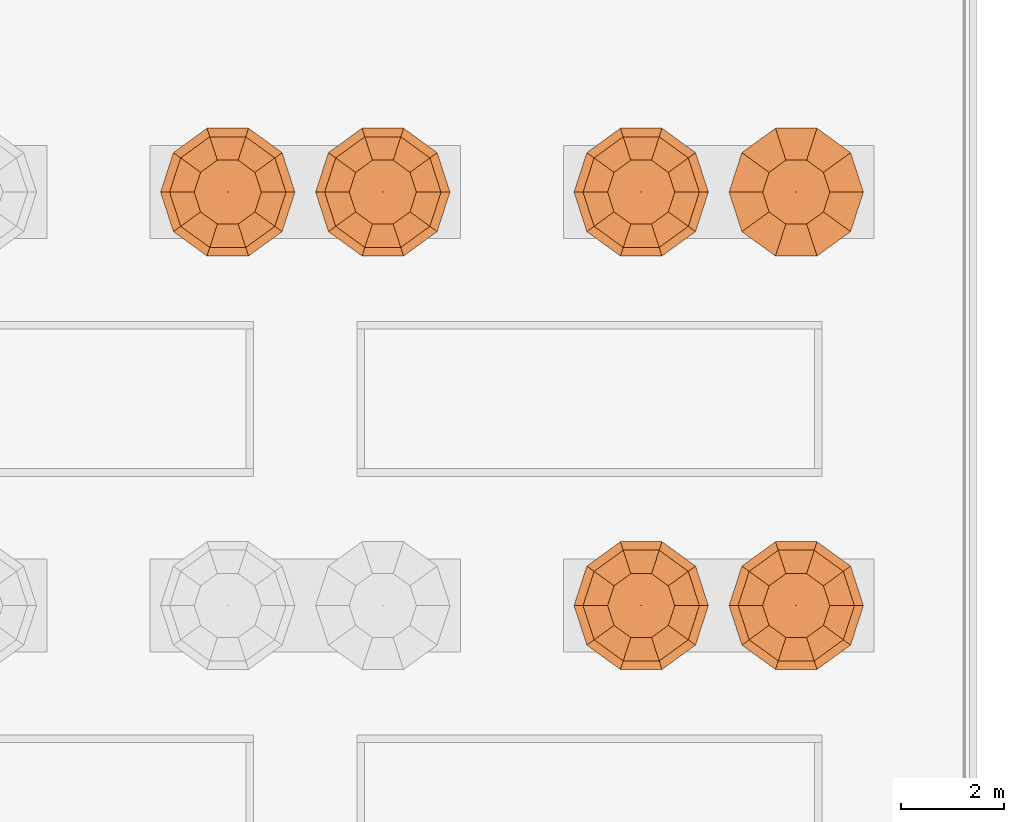
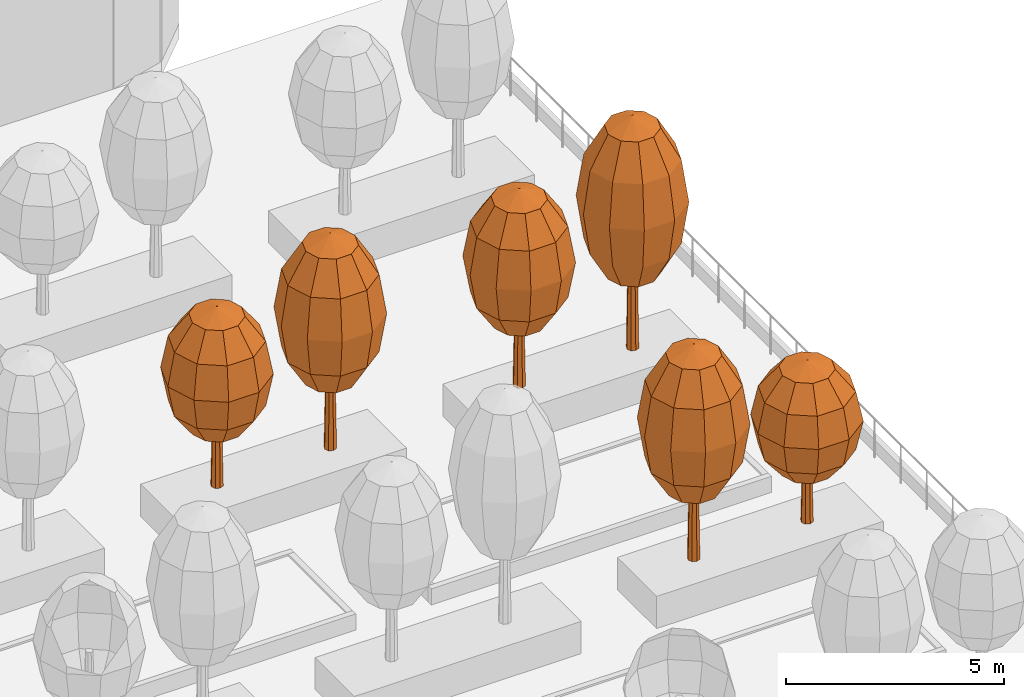
# One storey, part 99 of 100: 6 proxies.
"""IFC4 building model written with IfcOpenShell, lengths in metres."""

from ifc_helpers import new_model, si_unit, direction, frame, origin, place, context, subcontext, project, spatial, triangles, element, save


model = new_model("IFC4")

# Units and contexts
model_context = context("Model", 3, precision=1e-05, world=origin(), true_north=direction((0.0, 1.0)))
body_context = subcontext(model_context, "Body", "Model", "MODEL_VIEW")
ifc_project = project(units=[si_unit("LENGTHUNIT", "METRE"), si_unit("AREAUNIT", "SQUARE_METRE"), si_unit("VOLUMEUNIT", "CUBIC_METRE"), si_unit("PLANEANGLEUNIT", "RADIAN"), si_unit("MASSUNIT", "GRAM", prefix="KILO")], contexts=[model_context])

# Site, building, storey
site_placement = place(None, origin())
site = spatial("IfcSite", under=ifc_project, at=site_placement, CompositionType="ELEMENT")
building_placement = place(site_placement, origin())
building = spatial("IfcBuilding", under=site, at=building_placement, Name="Hakoniwa Tower and Hamabe Station Hall", CompositionType="ELEMENT")
storey_placement = place(building_placement, frame((0.0, 0.0, 9.0)))
storey = spatial("IfcBuildingStorey", under=building, at=storey_placement, Name="L02", CompositionType="ELEMENT", Elevation=9.0)

# Proxies
proxy_1_placement = place(storey_placement, frame((53.5, -49.0, 0.89990234375)))
element("IfcBuildingElementProxy", 1, at=proxy_1_placement, inside=storey, Name="Tree Ilex rotunda 12-1", ObjectType="TREE", PredefinedType="USERDEFINED", context=body_context, shape_type="Tessellation", body=[
    triangles([(0.14990234375, 0.0, 0.0), (0.106201171875, 0.106201171875, 0.0), (0.0, 0.14990234375, 0.0), (-0.106201171875, 0.106201171875, 0.0), (-0.14990234375, 0.0, 0.0), (-0.106201171875, -0.106201171875, 0.0), (0.0, -0.14990234375, 0.0), (0.106201171875, -0.106201171875, 0.0), (0.090087890625, 0.0, 3.6240234375), (0.063720703125, 0.063720703125, 3.6240234375), (0.0, 0.090087890625, 3.6240234375), (-0.063720703125, 0.063720703125, 3.6240234375), (-0.090087890625, 0.0, 3.6240234375), (-0.063720703125, -0.063720703125, 3.6240234375), (0.0, -0.090087890625, 3.6240234375), (0.063720703125, -0.063720703125, 3.6240234375), (0.0, 0.0, 0.0), (0.0, 0.0, 3.6240234375)], [[1, 2, 10], [1, 10, 9], [17, 2, 1], [18, 9, 10], [2, 3, 11], [2, 11, 10], [17, 3, 2], [18, 10, 11], [3, 4, 12], [3, 12, 11], [17, 4, 3], [18, 11, 12], [4, 5, 13], [4, 13, 12], [17, 5, 4], [18, 12, 13], [5, 6, 14], [5, 14, 13], [17, 6, 5], [18, 13, 14], [6, 7, 15], [6, 15, 14], [17, 7, 6], [18, 14, 15], [7, 8, 16], [7, 16, 15], [17, 8, 7], [18, 15, 16], [8, 1, 9], [8, 9, 16], [17, 1, 8], [18, 16, 9]], closed=True),
    triangles([(0.0, 0.0, 1.679931640625), (0.64990234375, 0.0, 1.969482421875), (0.52587890625, 0.382080078125, 1.969482421875), (0.200927734375, 0.6181640625, 1.969482421875), (-0.200927734375, 0.6181640625, 1.969482421875), (-0.52587890625, 0.382080078125, 1.969482421875), (-0.64990234375, 0.0, 1.969482421875), (-0.52587890625, -0.382080078125, 1.969482421875), (-0.200927734375, -0.6181640625, 1.969482421875), (0.200927734375, -0.6181640625, 1.969482421875), (0.52587890625, -0.382080078125, 1.969482421875), (1.1259765625, 0.0, 2.760009765625), (0.910888671875, 0.661865234375, 2.760009765625), (0.347900390625, 1.07080078125, 2.760009765625), (-0.347900390625, 1.07080078125, 2.760009765625), (-0.910888671875, 0.661865234375, 2.760009765625), (-1.1259765625, 0.0, 2.760009765625), (-0.910888671875, -0.661865234375, 2.760009765625), (-0.347900390625, -1.07080078125, 2.760009765625), (0.347900390625, -1.07080078125, 2.760009765625), (0.910888671875, -0.661865234375, 2.760009765625), (1.300048828125, 0.0, 3.840087890625), (1.0517578125, 0.76416015625, 3.840087890625), (0.40185546875, 1.236328125, 3.840087890625), (-0.40185546875, 1.236328125, 3.840087890625), (-1.0517578125, 0.76416015625, 3.840087890625), (-1.300048828125, 0.0, 3.840087890625), (-1.0517578125, -0.76416015625, 3.840087890625), (-0.40185546875, -1.236328125, 3.840087890625), (0.40185546875, -1.236328125, 3.840087890625), (1.0517578125, -0.76416015625, 3.840087890625), (1.1259765625, 0.0, 4.919921875), (0.910888671875, 0.661865234375, 4.919921875), (0.347900390625, 1.07080078125, 4.919921875), (-0.347900390625, 1.07080078125, 4.919921875), (-0.910888671875, 0.661865234375, 4.919921875), (-1.1259765625, 0.0, 4.919921875), (-0.910888671875, -0.661865234375, 4.919921875), (-0.347900390625, -1.07080078125, 4.919921875), (0.347900390625, -1.07080078125, 4.919921875), (0.910888671875, -0.661865234375, 4.919921875), (0.64990234375, 0.0, 5.710693359375), (0.52587890625, 0.382080078125, 5.710693359375), (0.200927734375, 0.6181640625, 5.710693359375), (-0.200927734375, 0.6181640625, 5.710693359375), (-0.52587890625, 0.382080078125, 5.710693359375), (-0.64990234375, 0.0, 5.710693359375), (-0.52587890625, -0.382080078125, 5.710693359375), (-0.200927734375, -0.6181640625, 5.710693359375), (0.200927734375, -0.6181640625, 5.710693359375), (0.52587890625, -0.382080078125, 5.710693359375), (0.0, 0.0, 6.0)], [[1, 3, 2], [1, 4, 3], [1, 5, 4], [1, 6, 5], [1, 7, 6], [1, 8, 7], [1, 9, 8], [1, 10, 9], [1, 11, 10], [1, 2, 11], [2, 3, 13], [2, 13, 12], [3, 4, 14], [3, 14, 13], [4, 5, 15], [4, 15, 14], [5, 6, 16], [5, 16, 15], [6, 7, 17], [6, 17, 16], [7, 8, 18], [7, 18, 17], [8, 9, 19], [8, 19, 18], [9, 10, 20], [9, 20, 19], [10, 11, 21], [10, 21, 20], [11, 2, 12], [11, 12, 21], [12, 13, 23], [12, 23, 22], [13, 14, 24], [13, 24, 23], [14, 15, 25], [14, 25, 24], [15, 16, 26], [15, 26, 25], [16, 17, 27], [16, 27, 26], [17, 18, 28], [17, 28, 27], [18, 19, 29], [18, 29, 28], [19, 20, 30], [19, 30, 29], [20, 21, 31], [20, 31, 30], [21, 12, 22], [21, 22, 31], [22, 23, 33], [22, 33, 32], [23, 24, 34], [23, 34, 33], [24, 25, 35], [24, 35, 34], [25, 26, 36], [25, 36, 35], [26, 27, 37], [26, 37, 36], [27, 28, 38], [27, 38, 37], [28, 29, 39], [28, 39, 38], [29, 30, 40], [29, 40, 39], [30, 31, 41], [30, 41, 40], [31, 22, 32], [31, 32, 41], [32, 33, 43], [32, 43, 42], [33, 34, 44], [33, 44, 43], [34, 35, 45], [34, 45, 44], [35, 36, 46], [35, 46, 45], [36, 37, 47], [36, 47, 46], [37, 38, 48], [37, 48, 47], [38, 39, 49], [38, 49, 48], [39, 40, 50], [39, 50, 49], [40, 41, 51], [40, 51, 50], [41, 32, 42], [41, 42, 51], [52, 42, 43], [52, 43, 44], [52, 44, 45], [52, 45, 46], [52, 46, 47], [52, 47, 48], [52, 48, 49], [52, 49, 50], [52, 50, 51], [52, 51, 42]], closed=True),
])
proxy_2_placement = place(storey_placement, frame((56.5, -49.0, 0.89990234375)))
element("IfcBuildingElementProxy", 2, at=proxy_2_placement, inside=storey, Name="Tree Camellia sasanqua 12-2", ObjectType="TREE", PredefinedType="USERDEFINED", context=body_context, shape_type="Tessellation", body=[
    triangles([(0.14990234375, 0.0, 0.0), (0.106201171875, 0.106201171875, 0.0), (0.0, 0.14990234375, 0.0), (-0.106201171875, 0.106201171875, 0.0), (-0.14990234375, 0.0, 0.0), (-0.106201171875, -0.106201171875, 0.0), (0.0, -0.14990234375, 0.0), (0.106201171875, -0.106201171875, 0.0), (0.090087890625, 0.0, 2.718017578125), (0.063720703125, 0.063720703125, 2.718017578125), (0.0, 0.090087890625, 2.718017578125), (-0.063720703125, 0.063720703125, 2.718017578125), (-0.090087890625, 0.0, 2.718017578125), (-0.063720703125, -0.063720703125, 2.718017578125), (0.0, -0.090087890625, 2.718017578125), (0.063720703125, -0.063720703125, 2.718017578125), (0.0, 0.0, 0.0), (0.0, 0.0, 2.718017578125)], [[1, 2, 10], [1, 10, 9], [17, 2, 1], [18, 9, 10], [2, 3, 11], [2, 11, 10], [17, 3, 2], [18, 10, 11], [3, 4, 12], [3, 12, 11], [17, 4, 3], [18, 11, 12], [4, 5, 13], [4, 13, 12], [17, 5, 4], [18, 12, 13], [5, 6, 14], [5, 14, 13], [17, 6, 5], [18, 13, 14], [6, 7, 15], [6, 15, 14], [17, 7, 6], [18, 14, 15], [7, 8, 16], [7, 16, 15], [17, 8, 7], [18, 15, 16], [8, 1, 9], [8, 9, 16], [17, 1, 8], [18, 16, 9]], closed=True),
    triangles([(0.0, 0.0, 1.260009765625), (0.64990234375, 0.0, 1.47705078125), (0.52587890625, 0.382080078125, 1.47705078125), (0.200927734375, 0.6181640625, 1.47705078125), (-0.200927734375, 0.6181640625, 1.47705078125), (-0.52587890625, 0.382080078125, 1.47705078125), (-0.64990234375, 0.0, 1.47705078125), (-0.52587890625, -0.382080078125, 1.47705078125), (-0.200927734375, -0.6181640625, 1.47705078125), (0.200927734375, -0.6181640625, 1.47705078125), (0.52587890625, -0.382080078125, 1.47705078125), (1.1259765625, 0.0, 2.070068359375), (0.910888671875, 0.661865234375, 2.070068359375), (0.347900390625, 1.07080078125, 2.070068359375), (-0.347900390625, 1.07080078125, 2.070068359375), (-0.910888671875, 0.661865234375, 2.070068359375), (-1.1259765625, 0.0, 2.070068359375), (-0.910888671875, -0.661865234375, 2.070068359375), (-0.347900390625, -1.07080078125, 2.070068359375), (0.347900390625, -1.07080078125, 2.070068359375), (0.910888671875, -0.661865234375, 2.070068359375), (1.300048828125, 0.0, 2.8798828125), (1.0517578125, 0.76416015625, 2.8798828125), (0.40185546875, 1.236328125, 2.8798828125), (-0.40185546875, 1.236328125, 2.8798828125), (-1.0517578125, 0.76416015625, 2.8798828125), (-1.300048828125, 0.0, 2.8798828125), (-1.0517578125, -0.76416015625, 2.8798828125), (-0.40185546875, -1.236328125, 2.8798828125), (0.40185546875, -1.236328125, 2.8798828125), (1.0517578125, -0.76416015625, 2.8798828125), (1.1259765625, 0.0, 3.68994140625), (0.910888671875, 0.661865234375, 3.68994140625), (0.347900390625, 1.07080078125, 3.68994140625), (-0.347900390625, 1.07080078125, 3.68994140625), (-0.910888671875, 0.661865234375, 3.68994140625), (-1.1259765625, 0.0, 3.68994140625), (-0.910888671875, -0.661865234375, 3.68994140625), (-0.347900390625, -1.07080078125, 3.68994140625), (0.347900390625, -1.07080078125, 3.68994140625), (0.910888671875, -0.661865234375, 3.68994140625), (0.64990234375, 0.0, 4.282958984375), (0.52587890625, 0.382080078125, 4.282958984375), (0.200927734375, 0.6181640625, 4.282958984375), (-0.200927734375, 0.6181640625, 4.282958984375), (-0.52587890625, 0.382080078125, 4.282958984375), (-0.64990234375, 0.0, 4.282958984375), (-0.52587890625, -0.382080078125, 4.282958984375), (-0.200927734375, -0.6181640625, 4.282958984375), (0.200927734375, -0.6181640625, 4.282958984375), (0.52587890625, -0.382080078125, 4.282958984375), (0.0, 0.0, 4.5)], [[1, 3, 2], [1, 4, 3], [1, 5, 4], [1, 6, 5], [1, 7, 6], [1, 8, 7], [1, 9, 8], [1, 10, 9], [1, 11, 10], [1, 2, 11], [2, 3, 13], [2, 13, 12], [3, 4, 14], [3, 14, 13], [4, 5, 15], [4, 15, 14], [5, 6, 16], [5, 16, 15], [6, 7, 17], [6, 17, 16], [7, 8, 18], [7, 18, 17], [8, 9, 19], [8, 19, 18], [9, 10, 20], [9, 20, 19], [10, 11, 21], [10, 21, 20], [11, 2, 12], [11, 12, 21], [12, 13, 23], [12, 23, 22], [13, 14, 24], [13, 24, 23], [14, 15, 25], [14, 25, 24], [15, 16, 26], [15, 26, 25], [16, 17, 27], [16, 27, 26], [17, 18, 28], [17, 28, 27], [18, 19, 29], [18, 29, 28], [19, 20, 30], [19, 30, 29], [20, 21, 31], [20, 31, 30], [21, 12, 22], [21, 22, 31], [22, 23, 33], [22, 33, 32], [23, 24, 34], [23, 34, 33], [24, 25, 35], [24, 35, 34], [25, 26, 36], [25, 36, 35], [26, 27, 37], [26, 37, 36], [27, 28, 38], [27, 38, 37], [28, 29, 39], [28, 39, 38], [29, 30, 40], [29, 40, 39], [30, 31, 41], [30, 41, 40], [31, 22, 32], [31, 32, 41], [32, 33, 43], [32, 43, 42], [33, 34, 44], [33, 44, 43], [34, 35, 45], [34, 45, 44], [35, 36, 46], [35, 46, 45], [36, 37, 47], [36, 47, 46], [37, 38, 48], [37, 48, 47], [38, 39, 49], [38, 49, 48], [39, 40, 50], [39, 50, 49], [40, 41, 51], [40, 51, 50], [41, 32, 42], [41, 42, 51], [52, 42, 43], [52, 43, 44], [52, 44, 45], [52, 45, 46], [52, 46, 47], [52, 47, 48], [52, 48, 49], [52, 49, 50], [52, 50, 51], [52, 51, 42]], closed=True),
])
proxy_3_placement = place(storey_placement, frame((45.5, -41.0, 0.89990234375)))
element("IfcBuildingElementProxy", 3, at=proxy_3_placement, inside=storey, Name="Tree Ilex pedunculosa 17-1", ObjectType="TREE", PredefinedType="USERDEFINED", context=body_context, shape_type="Tessellation", body=[
    triangles([(0.14990234375, 0.0, 0.0), (0.106201171875, 0.106201171875, 0.0), (0.0, 0.14990234375, 0.0), (-0.106201171875, 0.106201171875, 0.0), (-0.14990234375, 0.0, 0.0), (-0.106201171875, -0.106201171875, 0.0), (0.0, -0.14990234375, 0.0), (0.106201171875, -0.106201171875, 0.0), (0.090087890625, 0.0, 3.02001953125), (0.063720703125, 0.063720703125, 3.02001953125), (0.0, 0.090087890625, 3.02001953125), (-0.063720703125, 0.063720703125, 3.02001953125), (-0.090087890625, 0.0, 3.02001953125), (-0.063720703125, -0.063720703125, 3.02001953125), (0.0, -0.090087890625, 3.02001953125), (0.063720703125, -0.063720703125, 3.02001953125), (0.0, 0.0, 0.0), (0.0, 0.0, 3.02001953125)], [[1, 2, 10], [1, 10, 9], [17, 2, 1], [18, 9, 10], [2, 3, 11], [2, 11, 10], [17, 3, 2], [18, 10, 11], [3, 4, 12], [3, 12, 11], [17, 4, 3], [18, 11, 12], [4, 5, 13], [4, 13, 12], [17, 5, 4], [18, 12, 13], [5, 6, 14], [5, 14, 13], [17, 6, 5], [18, 13, 14], [6, 7, 15], [6, 15, 14], [17, 7, 6], [18, 14, 15], [7, 8, 16], [7, 16, 15], [17, 8, 7], [18, 15, 16], [8, 1, 9], [8, 9, 16], [17, 1, 8], [18, 16, 9]], closed=True),
    triangles([(0.0, 0.0, 1.39990234375), (0.64990234375, 0.0, 1.64111328125), (0.52587890625, 0.382080078125, 1.64111328125), (0.200927734375, 0.6181640625, 1.64111328125), (-0.200927734375, 0.6181640625, 1.64111328125), (-0.52587890625, 0.382080078125, 1.64111328125), (-0.64990234375, 0.0, 1.64111328125), (-0.52587890625, -0.382080078125, 1.64111328125), (-0.200927734375, -0.6181640625, 1.64111328125), (0.200927734375, -0.6181640625, 1.64111328125), (0.52587890625, -0.382080078125, 1.64111328125), (1.1259765625, 0.0, 2.300048828125), (0.910888671875, 0.661865234375, 2.300048828125), (0.347900390625, 1.07080078125, 2.300048828125), (-0.347900390625, 1.07080078125, 2.300048828125), (-0.910888671875, 0.661865234375, 2.300048828125), (-1.1259765625, 0.0, 2.300048828125), (-0.910888671875, -0.661865234375, 2.300048828125), (-0.347900390625, -1.07080078125, 2.300048828125), (0.347900390625, -1.07080078125, 2.300048828125), (0.910888671875, -0.661865234375, 2.300048828125), (1.300048828125, 0.0, 3.199951171875), (1.0517578125, 0.76416015625, 3.199951171875), (0.40185546875, 1.236328125, 3.199951171875), (-0.40185546875, 1.236328125, 3.199951171875), (-1.0517578125, 0.76416015625, 3.199951171875), (-1.300048828125, 0.0, 3.199951171875), (-1.0517578125, -0.76416015625, 3.199951171875), (-0.40185546875, -1.236328125, 3.199951171875), (0.40185546875, -1.236328125, 3.199951171875), (1.0517578125, -0.76416015625, 3.199951171875), (1.1259765625, 0.0, 4.10009765625), (0.910888671875, 0.661865234375, 4.10009765625), (0.347900390625, 1.07080078125, 4.10009765625), (-0.347900390625, 1.07080078125, 4.10009765625), (-0.910888671875, 0.661865234375, 4.10009765625), (-1.1259765625, 0.0, 4.10009765625), (-0.910888671875, -0.661865234375, 4.10009765625), (-0.347900390625, -1.07080078125, 4.10009765625), (0.347900390625, -1.07080078125, 4.10009765625), (0.910888671875, -0.661865234375, 4.10009765625), (0.64990234375, 0.0, 4.7587890625), (0.52587890625, 0.382080078125, 4.7587890625), (0.200927734375, 0.6181640625, 4.7587890625), (-0.200927734375, 0.6181640625, 4.7587890625), (-0.52587890625, 0.382080078125, 4.7587890625), (-0.64990234375, 0.0, 4.7587890625), (-0.52587890625, -0.382080078125, 4.7587890625), (-0.200927734375, -0.6181640625, 4.7587890625), (0.200927734375, -0.6181640625, 4.7587890625), (0.52587890625, -0.382080078125, 4.7587890625), (0.0, 0.0, 5.0)], [[1, 3, 2], [1, 4, 3], [1, 5, 4], [1, 6, 5], [1, 7, 6], [1, 8, 7], [1, 9, 8], [1, 10, 9], [1, 11, 10], [1, 2, 11], [2, 3, 13], [2, 13, 12], [3, 4, 14], [3, 14, 13], [4, 5, 15], [4, 15, 14], [5, 6, 16], [5, 16, 15], [6, 7, 17], [6, 17, 16], [7, 8, 18], [7, 18, 17], [8, 9, 19], [8, 19, 18], [9, 10, 20], [9, 20, 19], [10, 11, 21], [10, 21, 20], [11, 2, 12], [11, 12, 21], [12, 13, 23], [12, 23, 22], [13, 14, 24], [13, 24, 23], [14, 15, 25], [14, 25, 24], [15, 16, 26], [15, 26, 25], [16, 17, 27], [16, 27, 26], [17, 18, 28], [17, 28, 27], [18, 19, 29], [18, 29, 28], [19, 20, 30], [19, 30, 29], [20, 21, 31], [20, 31, 30], [21, 12, 22], [21, 22, 31], [22, 23, 33], [22, 33, 32], [23, 24, 34], [23, 34, 33], [24, 25, 35], [24, 35, 34], [25, 26, 36], [25, 36, 35], [26, 27, 37], [26, 37, 36], [27, 28, 38], [27, 38, 37], [28, 29, 39], [28, 39, 38], [29, 30, 40], [29, 40, 39], [30, 31, 41], [30, 41, 40], [31, 22, 32], [31, 32, 41], [32, 33, 43], [32, 43, 42], [33, 34, 44], [33, 44, 43], [34, 35, 45], [34, 45, 44], [35, 36, 46], [35, 46, 45], [36, 37, 47], [36, 47, 46], [37, 38, 48], [37, 48, 47], [38, 39, 49], [38, 49, 48], [39, 40, 50], [39, 50, 49], [40, 41, 51], [40, 51, 50], [41, 32, 42], [41, 42, 51], [52, 42, 43], [52, 43, 44], [52, 44, 45], [52, 45, 46], [52, 46, 47], [52, 47, 48], [52, 48, 49], [52, 49, 50], [52, 50, 51], [52, 51, 42]], closed=True),
])
proxy_4_placement = place(storey_placement, frame((48.5, -41.0, 0.89990234375)))
element("IfcBuildingElementProxy", 4, at=proxy_4_placement, inside=storey, Name="Tree Biota orientalis 17-2", ObjectType="TREE", PredefinedType="USERDEFINED", context=body_context, shape_type="Tessellation", body=[
    triangles([(0.14990234375, 0.0, 0.0), (0.106201171875, 0.106201171875, 0.0), (0.0, 0.14990234375, 0.0), (-0.106201171875, 0.106201171875, 0.0), (-0.14990234375, 0.0, 0.0), (-0.106201171875, -0.106201171875, 0.0), (0.0, -0.14990234375, 0.0), (0.106201171875, -0.106201171875, 0.0), (0.090087890625, 0.0, 3.6240234375), (0.063720703125, 0.063720703125, 3.6240234375), (0.0, 0.090087890625, 3.6240234375), (-0.063720703125, 0.063720703125, 3.6240234375), (-0.090087890625, 0.0, 3.6240234375), (-0.063720703125, -0.063720703125, 3.6240234375), (0.0, -0.090087890625, 3.6240234375), (0.063720703125, -0.063720703125, 3.6240234375), (0.0, 0.0, 0.0), (0.0, 0.0, 3.6240234375)], [[1, 2, 10], [1, 10, 9], [17, 2, 1], [18, 9, 10], [2, 3, 11], [2, 11, 10], [17, 3, 2], [18, 10, 11], [3, 4, 12], [3, 12, 11], [17, 4, 3], [18, 11, 12], [4, 5, 13], [4, 13, 12], [17, 5, 4], [18, 12, 13], [5, 6, 14], [5, 14, 13], [17, 6, 5], [18, 13, 14], [6, 7, 15], [6, 15, 14], [17, 7, 6], [18, 14, 15], [7, 8, 16], [7, 16, 15], [17, 8, 7], [18, 15, 16], [8, 1, 9], [8, 9, 16], [17, 1, 8], [18, 16, 9]], closed=True),
    triangles([(0.0, 0.0, 1.679931640625), (0.64990234375, 0.0, 1.969482421875), (0.52587890625, 0.382080078125, 1.969482421875), (0.200927734375, 0.6181640625, 1.969482421875), (-0.200927734375, 0.6181640625, 1.969482421875), (-0.52587890625, 0.382080078125, 1.969482421875), (-0.64990234375, 0.0, 1.969482421875), (-0.52587890625, -0.382080078125, 1.969482421875), (-0.200927734375, -0.6181640625, 1.969482421875), (0.200927734375, -0.6181640625, 1.969482421875), (0.52587890625, -0.382080078125, 1.969482421875), (1.1259765625, 0.0, 2.760009765625), (0.910888671875, 0.661865234375, 2.760009765625), (0.347900390625, 1.07080078125, 2.760009765625), (-0.347900390625, 1.07080078125, 2.760009765625), (-0.910888671875, 0.661865234375, 2.760009765625), (-1.1259765625, 0.0, 2.760009765625), (-0.910888671875, -0.661865234375, 2.760009765625), (-0.347900390625, -1.07080078125, 2.760009765625), (0.347900390625, -1.07080078125, 2.760009765625), (0.910888671875, -0.661865234375, 2.760009765625), (1.300048828125, 0.0, 3.840087890625), (1.0517578125, 0.76416015625, 3.840087890625), (0.40185546875, 1.236328125, 3.840087890625), (-0.40185546875, 1.236328125, 3.840087890625), (-1.0517578125, 0.76416015625, 3.840087890625), (-1.300048828125, 0.0, 3.840087890625), (-1.0517578125, -0.76416015625, 3.840087890625), (-0.40185546875, -1.236328125, 3.840087890625), (0.40185546875, -1.236328125, 3.840087890625), (1.0517578125, -0.76416015625, 3.840087890625), (1.1259765625, 0.0, 4.919921875), (0.910888671875, 0.661865234375, 4.919921875), (0.347900390625, 1.07080078125, 4.919921875), (-0.347900390625, 1.07080078125, 4.919921875), (-0.910888671875, 0.661865234375, 4.919921875), (-1.1259765625, 0.0, 4.919921875), (-0.910888671875, -0.661865234375, 4.919921875), (-0.347900390625, -1.07080078125, 4.919921875), (0.347900390625, -1.07080078125, 4.919921875), (0.910888671875, -0.661865234375, 4.919921875), (0.64990234375, 0.0, 5.710693359375), (0.52587890625, 0.382080078125, 5.710693359375), (0.200927734375, 0.6181640625, 5.710693359375), (-0.200927734375, 0.6181640625, 5.710693359375), (-0.52587890625, 0.382080078125, 5.710693359375), (-0.64990234375, 0.0, 5.710693359375), (-0.52587890625, -0.382080078125, 5.710693359375), (-0.200927734375, -0.6181640625, 5.710693359375), (0.200927734375, -0.6181640625, 5.710693359375), (0.52587890625, -0.382080078125, 5.710693359375), (0.0, 0.0, 6.0)], [[1, 3, 2], [1, 4, 3], [1, 5, 4], [1, 6, 5], [1, 7, 6], [1, 8, 7], [1, 9, 8], [1, 10, 9], [1, 11, 10], [1, 2, 11], [2, 3, 13], [2, 13, 12], [3, 4, 14], [3, 14, 13], [4, 5, 15], [4, 15, 14], [5, 6, 16], [5, 16, 15], [6, 7, 17], [6, 17, 16], [7, 8, 18], [7, 18, 17], [8, 9, 19], [8, 19, 18], [9, 10, 20], [9, 20, 19], [10, 11, 21], [10, 21, 20], [11, 2, 12], [11, 12, 21], [12, 13, 23], [12, 23, 22], [13, 14, 24], [13, 24, 23], [14, 15, 25], [14, 25, 24], [15, 16, 26], [15, 26, 25], [16, 17, 27], [16, 27, 26], [17, 18, 28], [17, 28, 27], [18, 19, 29], [18, 29, 28], [19, 20, 30], [19, 30, 29], [20, 21, 31], [20, 31, 30], [21, 12, 22], [21, 22, 31], [22, 23, 33], [22, 33, 32], [23, 24, 34], [23, 34, 33], [24, 25, 35], [24, 35, 34], [25, 26, 36], [25, 36, 35], [26, 27, 37], [26, 37, 36], [27, 28, 38], [27, 38, 37], [28, 29, 39], [28, 39, 38], [29, 30, 40], [29, 40, 39], [30, 31, 41], [30, 41, 40], [31, 22, 32], [31, 32, 41], [32, 33, 43], [32, 43, 42], [33, 34, 44], [33, 44, 43], [34, 35, 45], [34, 45, 44], [35, 36, 46], [35, 46, 45], [36, 37, 47], [36, 47, 46], [37, 38, 48], [37, 48, 47], [38, 39, 49], [38, 49, 48], [39, 40, 50], [39, 50, 49], [40, 41, 51], [40, 51, 50], [41, 32, 42], [41, 42, 51], [52, 42, 43], [52, 43, 44], [52, 44, 45], [52, 45, 46], [52, 46, 47], [52, 47, 48], [52, 48, 49], [52, 49, 50], [52, 50, 51], [52, 51, 42]], closed=True),
])
proxy_5_placement = place(storey_placement, frame((53.5, -41.0, 0.89990234375)))
element("IfcBuildingElementProxy", 5, at=proxy_5_placement, inside=storey, Name="Tree Dendropanax trifidus 18-1", ObjectType="TREE", PredefinedType="USERDEFINED", context=body_context, shape_type="Tessellation", body=[
    triangles([(0.14990234375, 0.0, 0.0), (0.106201171875, 0.106201171875, 0.0), (0.0, 0.14990234375, 0.0), (-0.106201171875, 0.106201171875, 0.0), (-0.14990234375, 0.0, 0.0), (-0.106201171875, -0.106201171875, 0.0), (0.0, -0.14990234375, 0.0), (0.106201171875, -0.106201171875, 0.0), (0.090087890625, 0.0, 3.322021484375), (0.063720703125, 0.063720703125, 3.322021484375), (0.0, 0.090087890625, 3.322021484375), (-0.063720703125, 0.063720703125, 3.322021484375), (-0.090087890625, 0.0, 3.322021484375), (-0.063720703125, -0.063720703125, 3.322021484375), (0.0, -0.090087890625, 3.322021484375), (0.063720703125, -0.063720703125, 3.322021484375), (0.0, 0.0, 0.0), (0.0, 0.0, 3.322021484375)], [[1, 2, 10], [1, 10, 9], [17, 2, 1], [18, 9, 10], [2, 3, 11], [2, 11, 10], [17, 3, 2], [18, 10, 11], [3, 4, 12], [3, 12, 11], [17, 4, 3], [18, 11, 12], [4, 5, 13], [4, 13, 12], [17, 5, 4], [18, 12, 13], [5, 6, 14], [5, 14, 13], [17, 6, 5], [18, 13, 14], [6, 7, 15], [6, 15, 14], [17, 7, 6], [18, 14, 15], [7, 8, 16], [7, 16, 15], [17, 8, 7], [18, 15, 16], [8, 1, 9], [8, 9, 16], [17, 1, 8], [18, 16, 9]], closed=True),
    triangles([(0.0, 0.0, 1.5400390625), (0.64990234375, 0.0, 1.80517578125), (0.52587890625, 0.382080078125, 1.80517578125), (0.200927734375, 0.6181640625, 1.80517578125), (-0.200927734375, 0.6181640625, 1.80517578125), (-0.52587890625, 0.382080078125, 1.80517578125), (-0.64990234375, 0.0, 1.80517578125), (-0.52587890625, -0.382080078125, 1.80517578125), (-0.200927734375, -0.6181640625, 1.80517578125), (0.200927734375, -0.6181640625, 1.80517578125), (0.52587890625, -0.382080078125, 1.80517578125), (1.1259765625, 0.0, 2.530029296875), (0.910888671875, 0.661865234375, 2.530029296875), (0.347900390625, 1.07080078125, 2.530029296875), (-0.347900390625, 1.07080078125, 2.530029296875), (-0.910888671875, 0.661865234375, 2.530029296875), (-1.1259765625, 0.0, 2.530029296875), (-0.910888671875, -0.661865234375, 2.530029296875), (-0.347900390625, -1.07080078125, 2.530029296875), (0.347900390625, -1.07080078125, 2.530029296875), (0.910888671875, -0.661865234375, 2.530029296875), (1.300048828125, 0.0, 3.52001953125), (1.0517578125, 0.76416015625, 3.52001953125), (0.40185546875, 1.236328125, 3.52001953125), (-0.40185546875, 1.236328125, 3.52001953125), (-1.0517578125, 0.76416015625, 3.52001953125), (-1.300048828125, 0.0, 3.52001953125), (-1.0517578125, -0.76416015625, 3.52001953125), (-0.40185546875, -1.236328125, 3.52001953125), (0.40185546875, -1.236328125, 3.52001953125), (1.0517578125, -0.76416015625, 3.52001953125), (1.1259765625, 0.0, 4.510009765625), (0.910888671875, 0.661865234375, 4.510009765625), (0.347900390625, 1.07080078125, 4.510009765625), (-0.347900390625, 1.07080078125, 4.510009765625), (-0.910888671875, 0.661865234375, 4.510009765625), (-1.1259765625, 0.0, 4.510009765625), (-0.910888671875, -0.661865234375, 4.510009765625), (-0.347900390625, -1.07080078125, 4.510009765625), (0.347900390625, -1.07080078125, 4.510009765625), (0.910888671875, -0.661865234375, 4.510009765625), (0.64990234375, 0.0, 5.234619140625), (0.52587890625, 0.382080078125, 5.234619140625), (0.200927734375, 0.6181640625, 5.234619140625), (-0.200927734375, 0.6181640625, 5.234619140625), (-0.52587890625, 0.382080078125, 5.234619140625), (-0.64990234375, 0.0, 5.234619140625), (-0.52587890625, -0.382080078125, 5.234619140625), (-0.200927734375, -0.6181640625, 5.234619140625), (0.200927734375, -0.6181640625, 5.234619140625), (0.52587890625, -0.382080078125, 5.234619140625), (0.0, 0.0, 5.5)], [[1, 3, 2], [1, 4, 3], [1, 5, 4], [1, 6, 5], [1, 7, 6], [1, 8, 7], [1, 9, 8], [1, 10, 9], [1, 11, 10], [1, 2, 11], [2, 3, 13], [2, 13, 12], [3, 4, 14], [3, 14, 13], [4, 5, 15], [4, 15, 14], [5, 6, 16], [5, 16, 15], [6, 7, 17], [6, 17, 16], [7, 8, 18], [7, 18, 17], [8, 9, 19], [8, 19, 18], [9, 10, 20], [9, 20, 19], [10, 11, 21], [10, 21, 20], [11, 2, 12], [11, 12, 21], [12, 13, 23], [12, 23, 22], [13, 14, 24], [13, 24, 23], [14, 15, 25], [14, 25, 24], [15, 16, 26], [15, 26, 25], [16, 17, 27], [16, 27, 26], [17, 18, 28], [17, 28, 27], [18, 19, 29], [18, 29, 28], [19, 20, 30], [19, 30, 29], [20, 21, 31], [20, 31, 30], [21, 12, 22], [21, 22, 31], [22, 23, 33], [22, 33, 32], [23, 24, 34], [23, 34, 33], [24, 25, 35], [24, 35, 34], [25, 26, 36], [25, 36, 35], [26, 27, 37], [26, 37, 36], [27, 28, 38], [27, 38, 37], [28, 29, 39], [28, 39, 38], [29, 30, 40], [29, 40, 39], [30, 31, 41], [30, 41, 40], [31, 22, 32], [31, 32, 41], [32, 33, 43], [32, 43, 42], [33, 34, 44], [33, 44, 43], [34, 35, 45], [34, 45, 44], [35, 36, 46], [35, 46, 45], [36, 37, 47], [36, 47, 46], [37, 38, 48], [37, 48, 47], [38, 39, 49], [38, 49, 48], [39, 40, 50], [39, 50, 49], [40, 41, 51], [40, 51, 50], [41, 32, 42], [41, 42, 51], [52, 42, 43], [52, 43, 44], [52, 44, 45], [52, 45, 46], [52, 46, 47], [52, 47, 48], [52, 48, 49], [52, 49, 50], [52, 50, 51], [52, 51, 42]], closed=True),
])
proxy_6_placement = place(storey_placement, frame((56.5, -41.0, 0.89990234375)))
element("IfcBuildingElementProxy", 6, at=proxy_6_placement, inside=storey, Name="Tree Quercus phillyraeoides 18-2", ObjectType="TREE", PredefinedType="USERDEFINED", context=body_context, shape_type="Tessellation", body=[
    triangles([(0.14990234375, 0.0, 0.0), (0.106201171875, 0.106201171875, 0.0), (0.0, 0.14990234375, 0.0), (-0.106201171875, 0.106201171875, 0.0), (-0.14990234375, 0.0, 0.0), (-0.106201171875, -0.106201171875, 0.0), (0.0, -0.14990234375, 0.0), (0.106201171875, -0.106201171875, 0.0), (0.090087890625, 0.0, 3.926025390625), (0.063720703125, 0.063720703125, 3.926025390625), (0.0, 0.090087890625, 3.926025390625), (-0.063720703125, 0.063720703125, 3.926025390625), (-0.090087890625, 0.0, 3.926025390625), (-0.063720703125, -0.063720703125, 3.926025390625), (0.0, -0.090087890625, 3.926025390625), (0.063720703125, -0.063720703125, 3.926025390625), (0.0, 0.0, 0.0), (0.0, 0.0, 3.926025390625)], [[1, 2, 10], [1, 10, 9], [17, 2, 1], [18, 9, 10], [2, 3, 11], [2, 11, 10], [17, 3, 2], [18, 10, 11], [3, 4, 12], [3, 12, 11], [17, 4, 3], [18, 11, 12], [4, 5, 13], [4, 13, 12], [17, 5, 4], [18, 12, 13], [5, 6, 14], [5, 14, 13], [17, 6, 5], [18, 13, 14], [6, 7, 15], [6, 15, 14], [17, 7, 6], [18, 14, 15], [7, 8, 16], [7, 16, 15], [17, 8, 7], [18, 15, 16], [8, 1, 9], [8, 9, 16], [17, 1, 8], [18, 16, 9]], closed=True),
    triangles([(0.0, 0.0, 1.820068359375), (0.64990234375, 0.0, 2.133544921875), (0.52587890625, 0.382080078125, 2.133544921875), (0.200927734375, 0.6181640625, 2.133544921875), (-0.200927734375, 0.6181640625, 2.133544921875), (-0.52587890625, 0.382080078125, 2.133544921875), (-0.64990234375, 0.0, 2.133544921875), (-0.52587890625, -0.382080078125, 2.133544921875), (-0.200927734375, -0.6181640625, 2.133544921875), (0.200927734375, -0.6181640625, 2.133544921875), (0.52587890625, -0.382080078125, 2.133544921875), (1.1259765625, 0.0, 2.989990234375), (0.910888671875, 0.661865234375, 2.989990234375), (0.347900390625, 1.07080078125, 2.989990234375), (-0.347900390625, 1.07080078125, 2.989990234375), (-0.910888671875, 0.661865234375, 2.989990234375), (-1.1259765625, 0.0, 2.989990234375), (-0.910888671875, -0.661865234375, 2.989990234375), (-0.347900390625, -1.07080078125, 2.989990234375), (0.347900390625, -1.07080078125, 2.989990234375), (0.910888671875, -0.661865234375, 2.989990234375), (1.300048828125, 0.0, 4.159912109375), (1.0517578125, 0.76416015625, 4.159912109375), (0.40185546875, 1.236328125, 4.159912109375), (-0.40185546875, 1.236328125, 4.159912109375), (-1.0517578125, 0.76416015625, 4.159912109375), (-1.300048828125, 0.0, 4.159912109375), (-1.0517578125, -0.76416015625, 4.159912109375), (-0.40185546875, -1.236328125, 4.159912109375), (0.40185546875, -1.236328125, 4.159912109375), (1.0517578125, -0.76416015625, 4.159912109375), (1.1259765625, 0.0, 5.330078125), (0.910888671875, 0.661865234375, 5.330078125), (0.347900390625, 1.07080078125, 5.330078125), (-0.347900390625, 1.07080078125, 5.330078125), (-0.910888671875, 0.661865234375, 5.330078125), (-1.1259765625, 0.0, 5.330078125), (-0.910888671875, -0.661865234375, 5.330078125), (-0.347900390625, -1.07080078125, 5.330078125), (0.347900390625, -1.07080078125, 5.330078125), (0.910888671875, -0.661865234375, 5.330078125), (0.64990234375, 0.0, 6.1865234375), (0.52587890625, 0.382080078125, 6.1865234375), (0.200927734375, 0.6181640625, 6.1865234375), (-0.200927734375, 0.6181640625, 6.1865234375), (-0.52587890625, 0.382080078125, 6.1865234375), (-0.64990234375, 0.0, 6.1865234375), (-0.52587890625, -0.382080078125, 6.1865234375), (-0.200927734375, -0.6181640625, 6.1865234375), (0.200927734375, -0.6181640625, 6.1865234375), (0.52587890625, -0.382080078125, 6.1865234375), (0.0, 0.0, 6.5)], [[1, 3, 2], [1, 4, 3], [1, 5, 4], [1, 6, 5], [1, 7, 6], [1, 8, 7], [1, 9, 8], [1, 10, 9], [1, 11, 10], [1, 2, 11], [2, 3, 13], [2, 13, 12], [3, 4, 14], [3, 14, 13], [4, 5, 15], [4, 15, 14], [5, 6, 16], [5, 16, 15], [6, 7, 17], [6, 17, 16], [7, 8, 18], [7, 18, 17], [8, 9, 19], [8, 19, 18], [9, 10, 20], [9, 20, 19], [10, 11, 21], [10, 21, 20], [11, 2, 12], [11, 12, 21], [12, 13, 23], [12, 23, 22], [13, 14, 24], [13, 24, 23], [14, 15, 25], [14, 25, 24], [15, 16, 26], [15, 26, 25], [16, 17, 27], [16, 27, 26], [17, 18, 28], [17, 28, 27], [18, 19, 29], [18, 29, 28], [19, 20, 30], [19, 30, 29], [20, 21, 31], [20, 31, 30], [21, 12, 22], [21, 22, 31], [22, 23, 33], [22, 33, 32], [23, 24, 34], [23, 34, 33], [24, 25, 35], [24, 35, 34], [25, 26, 36], [25, 36, 35], [26, 27, 37], [26, 37, 36], [27, 28, 38], [27, 38, 37], [28, 29, 39], [28, 39, 38], [29, 30, 40], [29, 40, 39], [30, 31, 41], [30, 41, 40], [31, 22, 32], [31, 32, 41], [32, 33, 43], [32, 43, 42], [33, 34, 44], [33, 44, 43], [34, 35, 45], [34, 45, 44], [35, 36, 46], [35, 46, 45], [36, 37, 47], [36, 47, 46], [37, 38, 48], [37, 48, 47], [38, 39, 49], [38, 49, 48], [39, 40, 50], [39, 50, 49], [40, 41, 51], [40, 51, 50], [41, 32, 42], [41, 42, 51], [52, 42, 43], [52, 43, 44], [52, 44, 45], [52, 45, 46], [52, 46, 47], [52, 47, 48], [52, 48, 49], [52, 49, 50], [52, 50, 51], [52, 51, 42]], closed=True),
])

save(model, "model.ifc")
